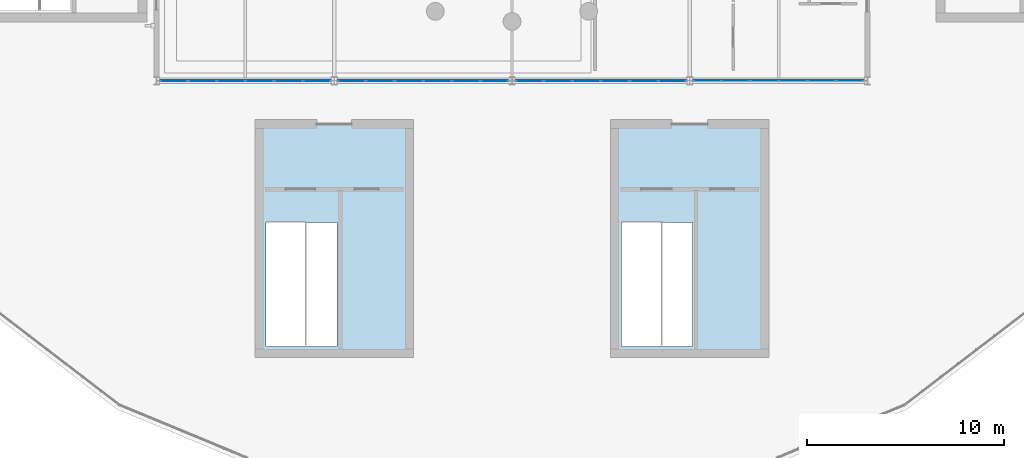
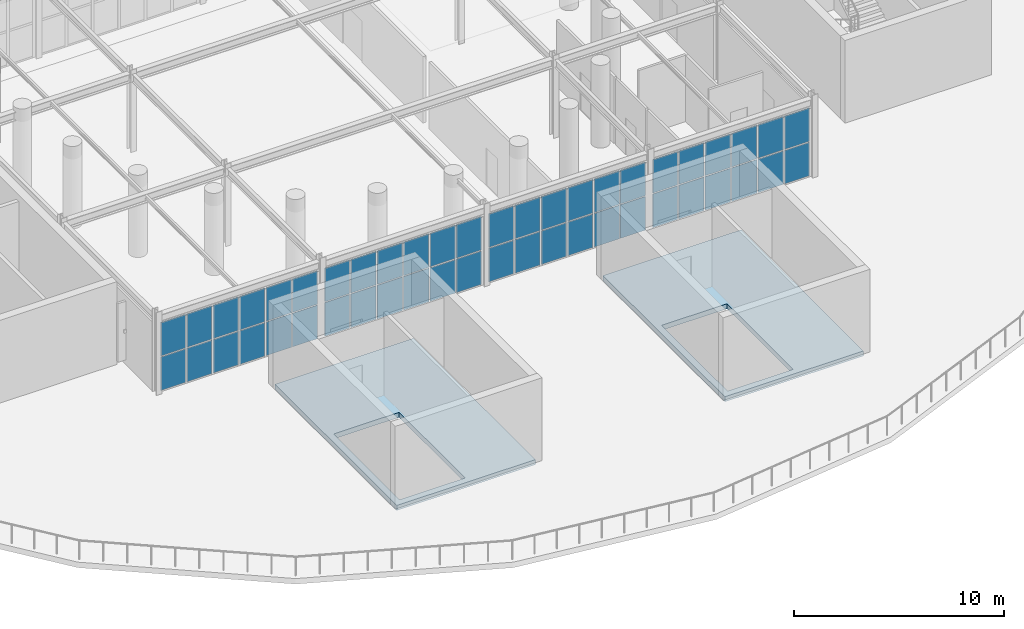
# One storey, part 16 of 29: 48 plates, 2 slabs, 4 elements without a shape of their own.
"""IFC4 building model written with IfcOpenShell, lengths in metres."""

from ifc_helpers import new_model, si_unit, direction, frame, origin, origin_2d, place, context, subcontext, project, spatial, polyline, rectangle, outline, extrude, material, layer, layer_set, type_object, element, aggregate, save


model = new_model("IFC4")

# Units and contexts
model_context = context("Model", 3, precision=1e-05, world=origin(), true_north=direction((0.0, 1.0)))
body_context = subcontext(model_context, "Body", "Model", "MODEL_VIEW")
ifc_project = project(units=[si_unit("LENGTHUNIT", "METRE"), si_unit("AREAUNIT", "SQUARE_METRE"), si_unit("VOLUMEUNIT", "CUBIC_METRE"), si_unit("PLANEANGLEUNIT", "RADIAN"), si_unit("MASSUNIT", "GRAM", prefix="KILO")], contexts=[model_context])

# Site, building, storey
site_placement = place(None, origin())
site = spatial("IfcSite", under=ifc_project, at=site_placement, CompositionType="ELEMENT")
building_placement = place(site_placement, origin())
building = spatial("IfcBuilding", under=site, at=building_placement, Name="Dornveld Trade and Exhibition Forum", CompositionType="ELEMENT")
storey_placement = place(building_placement, frame((0.0, 0.0, 21.60009765625)))
storey = spatial("IfcBuildingStorey", under=building, at=storey_placement, Name="L04", CompositionType="ELEMENT", Elevation=21.60009765625)

# Curtain wall, plates
ifc_material_1 = material(Name="Dark-bronze anodised aluminium and low-E glass", Category="aluminium")
ifc_layer_1 = layer(ifc_material_1, 0.15087890625)
ifc_layer_set_1 = layer_set([ifc_layer_1], Name="Dark-bronze anodised aluminium and low-E glass")
curtain_wall_type_1 = type_object("IfcCurtainWallType", Name="CW-SYS-03", PredefinedType="USERDEFINED", material=ifc_layer_set_1)
curtain_wall_1_placement = place(storey_placement, origin())
curtain_wall_1 = element("IfcCurtainWall", 1, at=curtain_wall_1_placement, inside=storey, type_object=curtain_wall_type_1, Name="L04 unitised curtain wall 129", ObjectType="UNITISED_CURTAIN_WALL", PredefinedType="USERDEFINED")
ifc_material_2 = material(Name="Double-glazed low-E solar control glass", Category="glass")
ifc_layer_2 = layer(ifc_material_2, 0.02587890625)
ifc_layer_set_2 = layer_set([ifc_layer_2], Name="Double-glazed low-E solar control glass")
plate_type_1 = type_object("IfcPlateType", Name="CW-PNL-01", PredefinedType="CURTAIN_PANEL", material=ifc_layer_set_2)
plate_1_placement = place(storey_placement, frame((126.88671875, 63.0, 0.055908203125), z_axis=(0.0, 0.0, 1.0), x_axis=(1.0, 0.0, 0.0)))
plate_1 = element("IfcPlate", 2, at=plate_1_placement, type_object=plate_type_1, Name="CW-03 panel 1.1", PredefinedType="CURTAIN_PANEL", context=body_context, shape_type="SweptSolid", body=[
    extrude(rectangle(XDim=1.361328125, YDim=0.02587890625, at=origin_2d()), origin(), (0.0, 0.0, 1.0), 1.94189453125),
])
plate_2_placement = place(storey_placement, frame((126.88671875, 63.0, 2.057861328125), z_axis=(0.0, 0.0, 1.0), x_axis=(1.0, 0.0, 0.0)))
plate_2 = element("IfcPlate", 3, at=plate_2_placement, type_object=plate_type_1, Name="CW-03 panel 1.2", PredefinedType="CURTAIN_PANEL", context=body_context, shape_type="SweptSolid", body=[
    extrude(rectangle(XDim=1.361328125, YDim=0.02587890625, at=origin_2d()), origin(), (0.0, 0.0, 1.0), 1.94189453125),
])
plate_3_placement = place(storey_placement, frame((128.322998046875, 63.0, 0.055908203125), z_axis=(0.0, 0.0, 1.0), x_axis=(1.0, 0.0, 0.0)))
plate_3 = element("IfcPlate", 4, at=plate_3_placement, type_object=plate_type_1, Name="CW-03 panel 2.1", PredefinedType="CURTAIN_PANEL", context=body_context, shape_type="SweptSolid", body=[
    extrude(rectangle(XDim=1.391357421875, YDim=0.02587890625, at=origin_2d()), origin(), (0.0, 0.0, 1.0), 1.94189453125),
])
plate_4_placement = place(storey_placement, frame((128.322998046875, 63.0, 2.057861328125), z_axis=(0.0, 0.0, 1.0), x_axis=(1.0, 0.0, 0.0)))
plate_4 = element("IfcPlate", 5, at=plate_4_placement, type_object=plate_type_1, Name="CW-03 panel 2.2", PredefinedType="CURTAIN_PANEL", context=body_context, shape_type="SweptSolid", body=[
    extrude(rectangle(XDim=1.391357421875, YDim=0.02587890625, at=origin_2d()), origin(), (0.0, 0.0, 1.0), 1.94189453125),
])
plate_5_placement = place(storey_placement, frame((129.7744140625, 63.0, 0.055908203125), z_axis=(0.0, 0.0, 1.0), x_axis=(1.0, 0.0, 0.0)))
plate_5 = element("IfcPlate", 6, at=plate_5_placement, type_object=plate_type_1, Name="CW-03 panel 3.1", PredefinedType="CURTAIN_PANEL", context=body_context, shape_type="SweptSolid", body=[
    extrude(rectangle(XDim=1.391357421875, YDim=0.02587890625, at=origin_2d()), origin(), (0.0, 0.0, 1.0), 1.94189453125),
])
plate_6_placement = place(storey_placement, frame((129.7744140625, 63.0, 2.057861328125), z_axis=(0.0, 0.0, 1.0), x_axis=(1.0, 0.0, 0.0)))
plate_6 = element("IfcPlate", 7, at=plate_6_placement, type_object=plate_type_1, Name="CW-03 panel 3.2", PredefinedType="CURTAIN_PANEL", context=body_context, shape_type="SweptSolid", body=[
    extrude(rectangle(XDim=1.391357421875, YDim=0.02587890625, at=origin_2d()), origin(), (0.0, 0.0, 1.0), 1.94189453125),
])
plate_7_placement = place(storey_placement, frame((131.2255859375, 63.0, 0.055908203125), z_axis=(0.0, 0.0, 1.0), x_axis=(1.0, 0.0, 0.0)))
plate_7 = element("IfcPlate", 8, at=plate_7_placement, type_object=plate_type_1, Name="CW-03 panel 4.1", PredefinedType="CURTAIN_PANEL", context=body_context, shape_type="SweptSolid", body=[
    extrude(rectangle(XDim=1.391357421875, YDim=0.02587890625, at=origin_2d()), origin(), (0.0, 0.0, 1.0), 1.94189453125),
])
plate_8_placement = place(storey_placement, frame((131.2255859375, 63.0, 2.057861328125), z_axis=(0.0, 0.0, 1.0), x_axis=(1.0, 0.0, 0.0)))
plate_8 = element("IfcPlate", 9, at=plate_8_placement, type_object=plate_type_1, Name="CW-03 panel 4.2", PredefinedType="CURTAIN_PANEL", context=body_context, shape_type="SweptSolid", body=[
    extrude(rectangle(XDim=1.391357421875, YDim=0.02587890625, at=origin_2d()), origin(), (0.0, 0.0, 1.0), 1.94189453125),
])
plate_9_placement = place(storey_placement, frame((132.677001953125, 63.0, 0.055908203125), z_axis=(0.0, 0.0, 1.0), x_axis=(1.0, 0.0, 0.0)))
plate_9 = element("IfcPlate", 10, at=plate_9_placement, type_object=plate_type_1, Name="CW-03 panel 5.1", PredefinedType="CURTAIN_PANEL", context=body_context, shape_type="SweptSolid", body=[
    extrude(rectangle(XDim=1.391357421875, YDim=0.02587890625, at=origin_2d()), origin(), (0.0, 0.0, 1.0), 1.94189453125),
])
plate_10_placement = place(storey_placement, frame((132.677001953125, 63.0, 2.057861328125), z_axis=(0.0, 0.0, 1.0), x_axis=(1.0, 0.0, 0.0)))
plate_10 = element("IfcPlate", 11, at=plate_10_placement, type_object=plate_type_1, Name="CW-03 panel 5.2", PredefinedType="CURTAIN_PANEL", context=body_context, shape_type="SweptSolid", body=[
    extrude(rectangle(XDim=1.391357421875, YDim=0.02587890625, at=origin_2d()), origin(), (0.0, 0.0, 1.0), 1.94189453125),
])
plate_11_placement = place(storey_placement, frame((134.11328125, 63.0, 0.055908203125), z_axis=(0.0, 0.0, 1.0), x_axis=(1.0, 0.0, 0.0)))
plate_11 = element("IfcPlate", 12, at=plate_11_placement, type_object=plate_type_1, Name="CW-03 panel 6.1", PredefinedType="CURTAIN_PANEL", context=body_context, shape_type="SweptSolid", body=[
    extrude(rectangle(XDim=1.361328125, YDim=0.02587890625, at=origin_2d()), origin(), (0.0, 0.0, 1.0), 1.94189453125),
])
plate_12_placement = place(storey_placement, frame((134.11328125, 63.0, 2.057861328125), z_axis=(0.0, 0.0, 1.0), x_axis=(1.0, 0.0, 0.0)))
plate_12 = element("IfcPlate", 13, at=plate_12_placement, type_object=plate_type_1, Name="CW-03 panel 6.2", PredefinedType="CURTAIN_PANEL", context=body_context, shape_type="SweptSolid", body=[
    extrude(rectangle(XDim=1.361328125, YDim=0.02587890625, at=origin_2d()), origin(), (0.0, 0.0, 1.0), 1.94189453125),
])
aggregate(curtain_wall_1, [plate_1, plate_2, plate_3, plate_4, plate_5, plate_6, plate_7, plate_8, plate_9, plate_10, plate_11, plate_12])

ifc_material_3 = material(Name="Dark-bronze anodised aluminium and low-E glass", Category="aluminium")
ifc_layer_3 = layer(ifc_material_3, 0.18701171875)
ifc_layer_set_3 = layer_set([ifc_layer_3], Name="Dark-bronze anodised aluminium and low-E glass")
curtain_wall_type_2 = type_object("IfcCurtainWallType", Name="CW-SYS-15", PredefinedType="USERDEFINED", material=ifc_layer_set_3)
curtain_wall_2_placement = place(storey_placement, origin())
curtain_wall_2 = element("IfcCurtainWall", 14, at=curtain_wall_2_placement, inside=storey, type_object=curtain_wall_type_2, Name="L04 unitised curtain wall 123", ObjectType="UNITISED_CURTAIN_WALL", PredefinedType="USERDEFINED")
ifc_material_4 = material(Name="Double-glazed low-E solar control glass", Category="glass")
ifc_layer_4 = layer(ifc_material_4, 0.030029296875)
ifc_layer_set_4 = layer_set([ifc_layer_4], Name="Double-glazed low-E solar control glass")
plate_type_2 = type_object("IfcPlateType", Name="CW-PNL-03", PredefinedType="CURTAIN_PANEL", material=ifc_layer_set_4)
plate_13_placement = place(storey_placement, frame((99.88671875, 63.0, 0.055908203125), z_axis=(0.0, 0.0, 1.0), x_axis=(1.0, 0.0, 0.0)))
plate_13 = element("IfcPlate", 15, at=plate_13_placement, type_object=plate_type_2, Name="CW-15 panel 1.1", PredefinedType="CURTAIN_PANEL", context=body_context, shape_type="SweptSolid", body=[
    extrude(rectangle(XDim=1.361328125, YDim=0.030029296875, at=origin_2d()), origin(), (0.0, 0.0, 1.0), 1.94189453125),
])
plate_14_placement = place(storey_placement, frame((99.88671875, 63.0, 2.057861328125), z_axis=(0.0, 0.0, 1.0), x_axis=(1.0, 0.0, 0.0)))
plate_14 = element("IfcPlate", 16, at=plate_14_placement, type_object=plate_type_2, Name="CW-15 panel 1.2", PredefinedType="CURTAIN_PANEL", context=body_context, shape_type="SweptSolid", body=[
    extrude(rectangle(XDim=1.361328125, YDim=0.030029296875, at=origin_2d()), origin(), (0.0, 0.0, 1.0), 1.94189453125),
])
plate_15_placement = place(storey_placement, frame((101.322998046875, 63.0, 0.055908203125), z_axis=(0.0, 0.0, 1.0), x_axis=(1.0, 0.0, 0.0)))
plate_15 = element("IfcPlate", 17, at=plate_15_placement, type_object=plate_type_2, Name="CW-15 panel 2.1", PredefinedType="CURTAIN_PANEL", context=body_context, shape_type="SweptSolid", body=[
    extrude(rectangle(XDim=1.391357421875, YDim=0.030029296875, at=origin_2d()), origin(), (0.0, 0.0, 1.0), 1.94189453125),
])
plate_16_placement = place(storey_placement, frame((101.322998046875, 63.0, 2.057861328125), z_axis=(0.0, 0.0, 1.0), x_axis=(1.0, 0.0, 0.0)))
plate_16 = element("IfcPlate", 18, at=plate_16_placement, type_object=plate_type_2, Name="CW-15 panel 2.2", PredefinedType="CURTAIN_PANEL", context=body_context, shape_type="SweptSolid", body=[
    extrude(rectangle(XDim=1.391357421875, YDim=0.030029296875, at=origin_2d()), origin(), (0.0, 0.0, 1.0), 1.94189453125),
])
plate_17_placement = place(storey_placement, frame((102.7744140625, 63.0, 0.055908203125), z_axis=(0.0, 0.0, 1.0), x_axis=(1.0, 0.0, 0.0)))
plate_17 = element("IfcPlate", 19, at=plate_17_placement, type_object=plate_type_2, Name="CW-15 panel 3.1", PredefinedType="CURTAIN_PANEL", context=body_context, shape_type="SweptSolid", body=[
    extrude(rectangle(XDim=1.391357421875, YDim=0.030029296875, at=origin_2d()), origin(), (0.0, 0.0, 1.0), 1.94189453125),
])
plate_18_placement = place(storey_placement, frame((102.7744140625, 63.0, 2.057861328125), z_axis=(0.0, 0.0, 1.0), x_axis=(1.0, 0.0, 0.0)))
plate_18 = element("IfcPlate", 20, at=plate_18_placement, type_object=plate_type_2, Name="CW-15 panel 3.2", PredefinedType="CURTAIN_PANEL", context=body_context, shape_type="SweptSolid", body=[
    extrude(rectangle(XDim=1.391357421875, YDim=0.030029296875, at=origin_2d()), origin(), (0.0, 0.0, 1.0), 1.94189453125),
])
plate_19_placement = place(storey_placement, frame((104.2255859375, 63.0, 0.055908203125), z_axis=(0.0, 0.0, 1.0), x_axis=(1.0, 0.0, 0.0)))
plate_19 = element("IfcPlate", 21, at=plate_19_placement, type_object=plate_type_2, Name="CW-15 panel 4.1", PredefinedType="CURTAIN_PANEL", context=body_context, shape_type="SweptSolid", body=[
    extrude(rectangle(XDim=1.391357421875, YDim=0.030029296875, at=origin_2d()), origin(), (0.0, 0.0, 1.0), 1.94189453125),
])
plate_20_placement = place(storey_placement, frame((104.2255859375, 63.0, 2.057861328125), z_axis=(0.0, 0.0, 1.0), x_axis=(1.0, 0.0, 0.0)))
plate_20 = element("IfcPlate", 22, at=plate_20_placement, type_object=plate_type_2, Name="CW-15 panel 4.2", PredefinedType="CURTAIN_PANEL", context=body_context, shape_type="SweptSolid", body=[
    extrude(rectangle(XDim=1.391357421875, YDim=0.030029296875, at=origin_2d()), origin(), (0.0, 0.0, 1.0), 1.94189453125),
])
plate_21_placement = place(storey_placement, frame((105.677001953125, 63.0, 0.055908203125), z_axis=(0.0, 0.0, 1.0), x_axis=(1.0, 0.0, 0.0)))
plate_21 = element("IfcPlate", 23, at=plate_21_placement, type_object=plate_type_2, Name="CW-15 panel 5.1", PredefinedType="CURTAIN_PANEL", context=body_context, shape_type="SweptSolid", body=[
    extrude(rectangle(XDim=1.391357421875, YDim=0.030029296875, at=origin_2d()), origin(), (0.0, 0.0, 1.0), 1.94189453125),
])
plate_22_placement = place(storey_placement, frame((105.677001953125, 63.0, 2.057861328125), z_axis=(0.0, 0.0, 1.0), x_axis=(1.0, 0.0, 0.0)))
plate_22 = element("IfcPlate", 24, at=plate_22_placement, type_object=plate_type_2, Name="CW-15 panel 5.2", PredefinedType="CURTAIN_PANEL", context=body_context, shape_type="SweptSolid", body=[
    extrude(rectangle(XDim=1.391357421875, YDim=0.030029296875, at=origin_2d()), origin(), (0.0, 0.0, 1.0), 1.94189453125),
])
plate_23_placement = place(storey_placement, frame((107.11328125, 63.0, 0.055908203125), z_axis=(0.0, 0.0, 1.0), x_axis=(1.0, 0.0, 0.0)))
plate_23 = element("IfcPlate", 25, at=plate_23_placement, type_object=plate_type_2, Name="CW-15 panel 6.1", PredefinedType="CURTAIN_PANEL", context=body_context, shape_type="SweptSolid", body=[
    extrude(rectangle(XDim=1.361328125, YDim=0.030029296875, at=origin_2d()), origin(), (0.0, 0.0, 1.0), 1.94189453125),
])
plate_24_placement = place(storey_placement, frame((107.11328125, 63.0, 2.057861328125), z_axis=(0.0, 0.0, 1.0), x_axis=(1.0, 0.0, 0.0)))
plate_24 = element("IfcPlate", 26, at=plate_24_placement, type_object=plate_type_2, Name="CW-15 panel 6.2", PredefinedType="CURTAIN_PANEL", context=body_context, shape_type="SweptSolid", body=[
    extrude(rectangle(XDim=1.361328125, YDim=0.030029296875, at=origin_2d()), origin(), (0.0, 0.0, 1.0), 1.94189453125),
])
aggregate(curtain_wall_2, [plate_13, plate_14, plate_15, plate_16, plate_17, plate_18, plate_19, plate_20, plate_21, plate_22, plate_23, plate_24])

ifc_material_5 = material(Name="Dark-bronze anodised aluminium and low-E glass", Category="aluminium")
ifc_layer_5 = layer(ifc_material_5, 0.193115234375)
ifc_layer_set_5 = layer_set([ifc_layer_5], Name="Dark-bronze anodised aluminium and low-E glass")
curtain_wall_type_3 = type_object("IfcCurtainWallType", Name="CW-SYS-17", PredefinedType="USERDEFINED", material=ifc_layer_set_5)
curtain_wall_3_placement = place(storey_placement, origin())
curtain_wall_3 = element("IfcCurtainWall", 27, at=curtain_wall_3_placement, inside=storey, type_object=curtain_wall_type_3, Name="L04 unitised curtain wall 125", ObjectType="UNITISED_CURTAIN_WALL", PredefinedType="USERDEFINED")
ifc_material_6 = material(Name="Double-glazed low-E solar control glass", Category="glass")
ifc_layer_6 = layer(ifc_material_6, 0.033935546875)
ifc_layer_set_6 = layer_set([ifc_layer_6], Name="Double-glazed low-E solar control glass")
plate_type_3 = type_object("IfcPlateType", Name="CW-PNL-05", PredefinedType="CURTAIN_PANEL", material=ifc_layer_set_6)
plate_25_placement = place(storey_placement, frame((108.88671875, 63.0, 0.055908203125), z_axis=(0.0, 0.0, 1.0), x_axis=(1.0, 0.0, 0.0)))
plate_25 = element("IfcPlate", 28, at=plate_25_placement, type_object=plate_type_3, Name="CW-17 panel 1.1", PredefinedType="CURTAIN_PANEL", context=body_context, shape_type="SweptSolid", body=[
    extrude(rectangle(XDim=1.361328125, YDim=0.033935546875, at=origin_2d()), origin(), (0.0, 0.0, 1.0), 1.94189453125),
])
plate_26_placement = place(storey_placement, frame((108.88671875, 63.0, 2.057861328125), z_axis=(0.0, 0.0, 1.0), x_axis=(1.0, 0.0, 0.0)))
plate_26 = element("IfcPlate", 29, at=plate_26_placement, type_object=plate_type_3, Name="CW-17 panel 1.2", PredefinedType="CURTAIN_PANEL", context=body_context, shape_type="SweptSolid", body=[
    extrude(rectangle(XDim=1.361328125, YDim=0.033935546875, at=origin_2d()), origin(), (0.0, 0.0, 1.0), 1.94189453125),
])
plate_27_placement = place(storey_placement, frame((110.322998046875, 63.0, 0.055908203125), z_axis=(0.0, 0.0, 1.0), x_axis=(1.0, 0.0, 0.0)))
plate_27 = element("IfcPlate", 30, at=plate_27_placement, type_object=plate_type_3, Name="CW-17 panel 2.1", PredefinedType="CURTAIN_PANEL", context=body_context, shape_type="SweptSolid", body=[
    extrude(rectangle(XDim=1.391357421875, YDim=0.033935546875, at=origin_2d()), origin(), (0.0, 0.0, 1.0), 1.94189453125),
])
plate_28_placement = place(storey_placement, frame((110.322998046875, 63.0, 2.057861328125), z_axis=(0.0, 0.0, 1.0), x_axis=(1.0, 0.0, 0.0)))
plate_28 = element("IfcPlate", 31, at=plate_28_placement, type_object=plate_type_3, Name="CW-17 panel 2.2", PredefinedType="CURTAIN_PANEL", context=body_context, shape_type="SweptSolid", body=[
    extrude(rectangle(XDim=1.391357421875, YDim=0.033935546875, at=origin_2d()), origin(), (0.0, 0.0, 1.0), 1.94189453125),
])
plate_29_placement = place(storey_placement, frame((111.7744140625, 63.0, 0.055908203125), z_axis=(0.0, 0.0, 1.0), x_axis=(1.0, 0.0, 0.0)))
plate_29 = element("IfcPlate", 32, at=plate_29_placement, type_object=plate_type_3, Name="CW-17 panel 3.1", PredefinedType="CURTAIN_PANEL", context=body_context, shape_type="SweptSolid", body=[
    extrude(rectangle(XDim=1.391357421875, YDim=0.033935546875, at=origin_2d()), origin(), (0.0, 0.0, 1.0), 1.94189453125),
])
plate_30_placement = place(storey_placement, frame((111.7744140625, 63.0, 2.057861328125), z_axis=(0.0, 0.0, 1.0), x_axis=(1.0, 0.0, 0.0)))
plate_30 = element("IfcPlate", 33, at=plate_30_placement, type_object=plate_type_3, Name="CW-17 panel 3.2", PredefinedType="CURTAIN_PANEL", context=body_context, shape_type="SweptSolid", body=[
    extrude(rectangle(XDim=1.391357421875, YDim=0.033935546875, at=origin_2d()), origin(), (0.0, 0.0, 1.0), 1.94189453125),
])
plate_31_placement = place(storey_placement, frame((113.2255859375, 63.0, 0.055908203125), z_axis=(0.0, 0.0, 1.0), x_axis=(1.0, 0.0, 0.0)))
plate_31 = element("IfcPlate", 34, at=plate_31_placement, type_object=plate_type_3, Name="CW-17 panel 4.1", PredefinedType="CURTAIN_PANEL", context=body_context, shape_type="SweptSolid", body=[
    extrude(rectangle(XDim=1.391357421875, YDim=0.033935546875, at=origin_2d()), origin(), (0.0, 0.0, 1.0), 1.94189453125),
])
plate_32_placement = place(storey_placement, frame((113.2255859375, 63.0, 2.057861328125), z_axis=(0.0, 0.0, 1.0), x_axis=(1.0, 0.0, 0.0)))
plate_32 = element("IfcPlate", 35, at=plate_32_placement, type_object=plate_type_3, Name="CW-17 panel 4.2", PredefinedType="CURTAIN_PANEL", context=body_context, shape_type="SweptSolid", body=[
    extrude(rectangle(XDim=1.391357421875, YDim=0.033935546875, at=origin_2d()), origin(), (0.0, 0.0, 1.0), 1.94189453125),
])
plate_33_placement = place(storey_placement, frame((114.677001953125, 63.0, 0.055908203125), z_axis=(0.0, 0.0, 1.0), x_axis=(1.0, 0.0, 0.0)))
plate_33 = element("IfcPlate", 36, at=plate_33_placement, type_object=plate_type_3, Name="CW-17 panel 5.1", PredefinedType="CURTAIN_PANEL", context=body_context, shape_type="SweptSolid", body=[
    extrude(rectangle(XDim=1.391357421875, YDim=0.033935546875, at=origin_2d()), origin(), (0.0, 0.0, 1.0), 1.94189453125),
])
plate_34_placement = place(storey_placement, frame((114.677001953125, 63.0, 2.057861328125), z_axis=(0.0, 0.0, 1.0), x_axis=(1.0, 0.0, 0.0)))
plate_34 = element("IfcPlate", 37, at=plate_34_placement, type_object=plate_type_3, Name="CW-17 panel 5.2", PredefinedType="CURTAIN_PANEL", context=body_context, shape_type="SweptSolid", body=[
    extrude(rectangle(XDim=1.391357421875, YDim=0.033935546875, at=origin_2d()), origin(), (0.0, 0.0, 1.0), 1.94189453125),
])
plate_35_placement = place(storey_placement, frame((116.11328125, 63.0, 0.055908203125), z_axis=(0.0, 0.0, 1.0), x_axis=(1.0, 0.0, 0.0)))
plate_35 = element("IfcPlate", 38, at=plate_35_placement, type_object=plate_type_3, Name="CW-17 panel 6.1", PredefinedType="CURTAIN_PANEL", context=body_context, shape_type="SweptSolid", body=[
    extrude(rectangle(XDim=1.361328125, YDim=0.033935546875, at=origin_2d()), origin(), (0.0, 0.0, 1.0), 1.94189453125),
])
plate_36_placement = place(storey_placement, frame((116.11328125, 63.0, 2.057861328125), z_axis=(0.0, 0.0, 1.0), x_axis=(1.0, 0.0, 0.0)))
plate_36 = element("IfcPlate", 39, at=plate_36_placement, type_object=plate_type_3, Name="CW-17 panel 6.2", PredefinedType="CURTAIN_PANEL", context=body_context, shape_type="SweptSolid", body=[
    extrude(rectangle(XDim=1.361328125, YDim=0.033935546875, at=origin_2d()), origin(), (0.0, 0.0, 1.0), 1.94189453125),
])
aggregate(curtain_wall_3, [plate_25, plate_26, plate_27, plate_28, plate_29, plate_30, plate_31, plate_32, plate_33, plate_34, plate_35, plate_36])

ifc_material_7 = material(Name="Dark-bronze anodised aluminium and low-E glass", Category="aluminium")
ifc_layer_7 = layer(ifc_material_7, 0.14501953125)
ifc_layer_set_7 = layer_set([ifc_layer_7], Name="Dark-bronze anodised aluminium and low-E glass")
curtain_wall_type_4 = type_object("IfcCurtainWallType", Name="CW-SYS-01", PredefinedType="USERDEFINED", material=ifc_layer_set_7)
curtain_wall_4_placement = place(storey_placement, origin())
curtain_wall_4 = element("IfcCurtainWall", 40, at=curtain_wall_4_placement, inside=storey, type_object=curtain_wall_type_4, Name="L04 unitised curtain wall 127", ObjectType="UNITISED_CURTAIN_WALL", PredefinedType="USERDEFINED")
ifc_material_8 = material(Name="Double-glazed low-E solar control glass", Category="glass")
ifc_layer_8 = layer(ifc_material_8, 0.0380859375)
ifc_layer_set_8 = layer_set([ifc_layer_8], Name="Double-glazed low-E solar control glass")
plate_type_4 = type_object("IfcPlateType", Name="CW-PNL-07", PredefinedType="CURTAIN_PANEL", material=ifc_layer_set_8)
plate_37_placement = place(storey_placement, frame((117.88671875, 63.0, 0.055908203125), z_axis=(0.0, 0.0, 1.0), x_axis=(1.0, 0.0, 0.0)))
plate_37 = element("IfcPlate", 41, at=plate_37_placement, type_object=plate_type_4, Name="CW-01 panel 1.1", PredefinedType="CURTAIN_PANEL", context=body_context, shape_type="SweptSolid", body=[
    extrude(rectangle(XDim=1.361328125, YDim=0.0380859375, at=origin_2d()), origin(), (0.0, 0.0, 1.0), 1.94189453125),
])
plate_38_placement = place(storey_placement, frame((117.88671875, 63.0, 2.057861328125), z_axis=(0.0, 0.0, 1.0), x_axis=(1.0, 0.0, 0.0)))
plate_38 = element("IfcPlate", 42, at=plate_38_placement, type_object=plate_type_4, Name="CW-01 panel 1.2", PredefinedType="CURTAIN_PANEL", context=body_context, shape_type="SweptSolid", body=[
    extrude(rectangle(XDim=1.361328125, YDim=0.0380859375, at=origin_2d()), origin(), (0.0, 0.0, 1.0), 1.94189453125),
])
plate_39_placement = place(storey_placement, frame((119.322998046875, 63.0, 0.055908203125), z_axis=(0.0, 0.0, 1.0), x_axis=(1.0, 0.0, 0.0)))
plate_39 = element("IfcPlate", 43, at=plate_39_placement, type_object=plate_type_4, Name="CW-01 panel 2.1", PredefinedType="CURTAIN_PANEL", context=body_context, shape_type="SweptSolid", body=[
    extrude(rectangle(XDim=1.391357421875, YDim=0.0380859375, at=origin_2d()), origin(), (0.0, 0.0, 1.0), 1.94189453125),
])
plate_40_placement = place(storey_placement, frame((119.322998046875, 63.0, 2.057861328125), z_axis=(0.0, 0.0, 1.0), x_axis=(1.0, 0.0, 0.0)))
plate_40 = element("IfcPlate", 44, at=plate_40_placement, type_object=plate_type_4, Name="CW-01 panel 2.2", PredefinedType="CURTAIN_PANEL", context=body_context, shape_type="SweptSolid", body=[
    extrude(rectangle(XDim=1.391357421875, YDim=0.0380859375, at=origin_2d()), origin(), (0.0, 0.0, 1.0), 1.94189453125),
])
plate_41_placement = place(storey_placement, frame((120.7744140625, 63.0, 0.055908203125), z_axis=(0.0, 0.0, 1.0), x_axis=(1.0, 0.0, 0.0)))
plate_41 = element("IfcPlate", 45, at=plate_41_placement, type_object=plate_type_4, Name="CW-01 panel 3.1", PredefinedType="CURTAIN_PANEL", context=body_context, shape_type="SweptSolid", body=[
    extrude(rectangle(XDim=1.391357421875, YDim=0.0380859375, at=origin_2d()), origin(), (0.0, 0.0, 1.0), 1.94189453125),
])
plate_42_placement = place(storey_placement, frame((120.7744140625, 63.0, 2.057861328125), z_axis=(0.0, 0.0, 1.0), x_axis=(1.0, 0.0, 0.0)))
plate_42 = element("IfcPlate", 46, at=plate_42_placement, type_object=plate_type_4, Name="CW-01 panel 3.2", PredefinedType="CURTAIN_PANEL", context=body_context, shape_type="SweptSolid", body=[
    extrude(rectangle(XDim=1.391357421875, YDim=0.0380859375, at=origin_2d()), origin(), (0.0, 0.0, 1.0), 1.94189453125),
])
plate_43_placement = place(storey_placement, frame((122.2255859375, 63.0, 0.055908203125), z_axis=(0.0, 0.0, 1.0), x_axis=(1.0, 0.0, 0.0)))
plate_43 = element("IfcPlate", 47, at=plate_43_placement, type_object=plate_type_4, Name="CW-01 panel 4.1", PredefinedType="CURTAIN_PANEL", context=body_context, shape_type="SweptSolid", body=[
    extrude(rectangle(XDim=1.391357421875, YDim=0.0380859375, at=origin_2d()), origin(), (0.0, 0.0, 1.0), 1.94189453125),
])
plate_44_placement = place(storey_placement, frame((122.2255859375, 63.0, 2.057861328125), z_axis=(0.0, 0.0, 1.0), x_axis=(1.0, 0.0, 0.0)))
plate_44 = element("IfcPlate", 48, at=plate_44_placement, type_object=plate_type_4, Name="CW-01 panel 4.2", PredefinedType="CURTAIN_PANEL", context=body_context, shape_type="SweptSolid", body=[
    extrude(rectangle(XDim=1.391357421875, YDim=0.0380859375, at=origin_2d()), origin(), (0.0, 0.0, 1.0), 1.94189453125),
])
plate_45_placement = place(storey_placement, frame((123.677001953125, 63.0, 0.055908203125), z_axis=(0.0, 0.0, 1.0), x_axis=(1.0, 0.0, 0.0)))
plate_45 = element("IfcPlate", 49, at=plate_45_placement, type_object=plate_type_4, Name="CW-01 panel 5.1", PredefinedType="CURTAIN_PANEL", context=body_context, shape_type="SweptSolid", body=[
    extrude(rectangle(XDim=1.391357421875, YDim=0.0380859375, at=origin_2d()), origin(), (0.0, 0.0, 1.0), 1.94189453125),
])
plate_46_placement = place(storey_placement, frame((123.677001953125, 63.0, 2.057861328125), z_axis=(0.0, 0.0, 1.0), x_axis=(1.0, 0.0, 0.0)))
plate_46 = element("IfcPlate", 50, at=plate_46_placement, type_object=plate_type_4, Name="CW-01 panel 5.2", PredefinedType="CURTAIN_PANEL", context=body_context, shape_type="SweptSolid", body=[
    extrude(rectangle(XDim=1.391357421875, YDim=0.0380859375, at=origin_2d()), origin(), (0.0, 0.0, 1.0), 1.94189453125),
])
plate_47_placement = place(storey_placement, frame((125.11328125, 63.0, 0.055908203125), z_axis=(0.0, 0.0, 1.0), x_axis=(1.0, 0.0, 0.0)))
plate_47 = element("IfcPlate", 51, at=plate_47_placement, type_object=plate_type_4, Name="CW-01 panel 6.1", PredefinedType="CURTAIN_PANEL", context=body_context, shape_type="SweptSolid", body=[
    extrude(rectangle(XDim=1.361328125, YDim=0.0380859375, at=origin_2d()), origin(), (0.0, 0.0, 1.0), 1.94189453125),
])
plate_48_placement = place(storey_placement, frame((125.11328125, 63.0, 2.057861328125), z_axis=(0.0, 0.0, 1.0), x_axis=(1.0, 0.0, 0.0)))
plate_48 = element("IfcPlate", 52, at=plate_48_placement, type_object=plate_type_4, Name="CW-01 panel 6.2", PredefinedType="CURTAIN_PANEL", context=body_context, shape_type="SweptSolid", body=[
    extrude(rectangle(XDim=1.361328125, YDim=0.0380859375, at=origin_2d()), origin(), (0.0, 0.0, 1.0), 1.94189453125),
])
aggregate(curtain_wall_4, [plate_37, plate_38, plate_39, plate_40, plate_41, plate_42, plate_43, plate_44, plate_45, plate_46, plate_47, plate_48])

# Slabs
ifc_material_9 = material(Name="Concrete C40/50", Category="concrete")
ifc_layer_9 = layer(ifc_material_9, 0.2900390625)
ifc_layer_set_9 = layer_set([ifc_layer_9], Name="Concrete C40/50")
slab_type = type_object("IfcSlabType", Name="SL-DISC-290", PredefinedType="FLOOR", material=ifc_layer_set_9)
slab_1_placement = place(storey_placement, frame((0.0, 0.0, -0.2900390625)))
element("IfcSlab", 53, at=slab_1_placement, inside=storey, type_object=slab_type, Name="L04 CORE-06 indoor core lobby slab", PredefinedType="FLOOR", context=body_context, shape_type="SweptSolid", body=[
    extrude(outline(polyline([(104.199951171875, 49.199951171875), (111.800048828125, 49.199951171875), (111.800048828125, 60.800048828125), (104.199951171875, 60.800048828125), (104.199951171875, 49.199951171875)]), holes=[polyline([(104.550048828125, 49.550048828125), (108.14990234375, 49.550048828125), (108.14990234375, 55.830078125), (104.550048828125, 55.830078125), (104.550048828125, 49.550048828125)])]), origin(), (0.0, 0.0, 1.0), 0.2900390625),
])
slab_2_placement = place(storey_placement, frame((0.0, 0.0, -0.2900390625)))
element("IfcSlab", 54, at=slab_2_placement, inside=storey, type_object=slab_type, Name="L04 CORE-07 indoor core lobby slab", PredefinedType="FLOOR", context=body_context, shape_type="SweptSolid", body=[
    extrude(outline(polyline([(122.199951171875, 49.199951171875), (129.800048828125, 49.199951171875), (129.800048828125, 60.800048828125), (122.199951171875, 60.800048828125), (122.199951171875, 49.199951171875)]), holes=[polyline([(122.550048828125, 49.550048828125), (126.14990234375, 49.550048828125), (126.14990234375, 55.830078125), (122.550048828125, 55.830078125), (122.550048828125, 49.550048828125)])]), origin(), (0.0, 0.0, 1.0), 0.2900390625),
])

save(model, "model.ifc")
